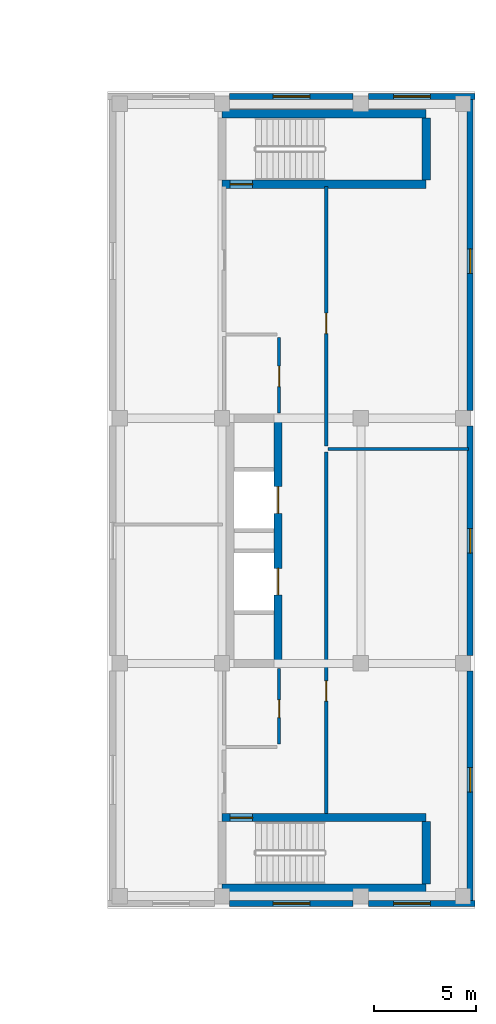
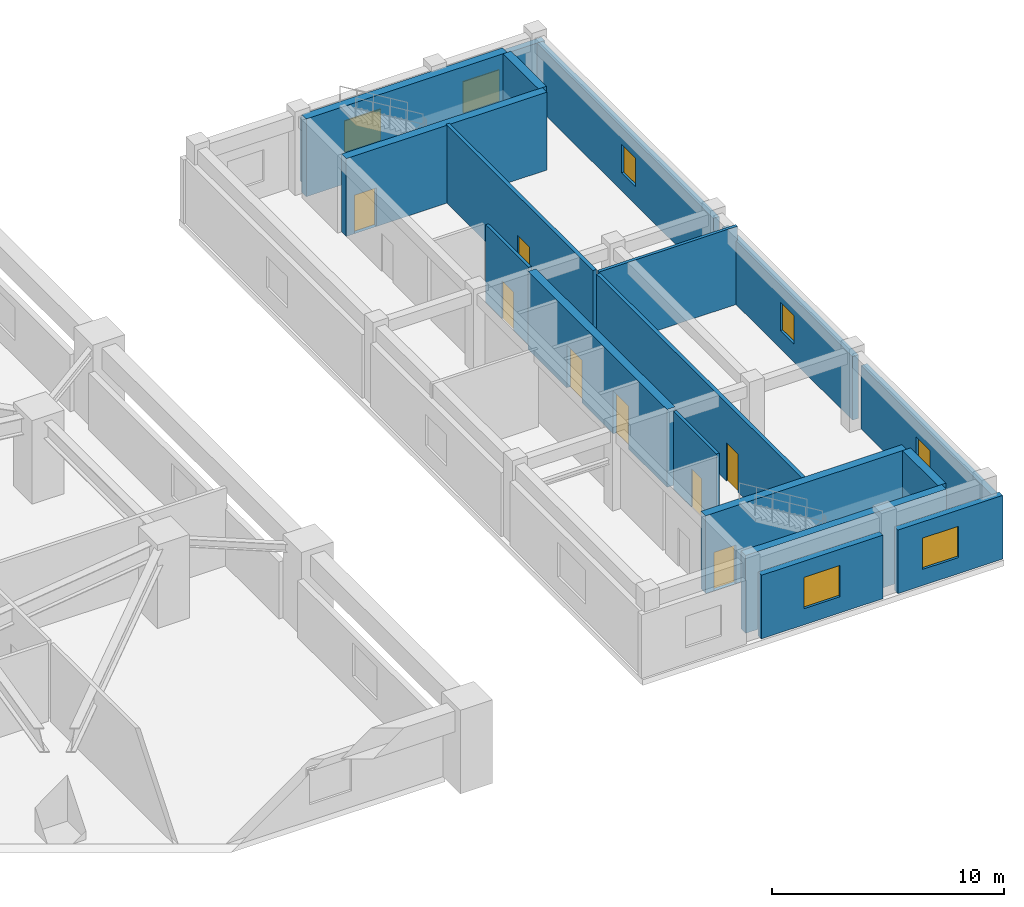
# One storey, part 11 of 16: 19 walls, 8 doors, 7 windows, 15 openings.
"""IFC4 building model written with IfcOpenShell, lengths in metres."""

from ifc_helpers import new_model, si_unit, direction, frame, frame_2d, origin, place, context, subcontext, project, spatial, rectangle, extrude, source, transform, mapped, material, layer, layer_set, type_object, element, fill, save


model = new_model("IFC4")

# Units and contexts
model_context = context("Model", 3, precision=1e-05, world=origin(), true_north=direction((0.0, 1.0)))
body_context = subcontext(model_context, "Body", "Model", "MODEL_VIEW")
ifc_project = project(units=[si_unit("LENGTHUNIT", "METRE"), si_unit("AREAUNIT", "SQUARE_METRE"), si_unit("VOLUMEUNIT", "CUBIC_METRE"), si_unit("PLANEANGLEUNIT", "RADIAN"), si_unit("MASSUNIT", "GRAM", prefix="KILO")], contexts=[model_context])

# Site, building, storey
site_placement = place(None, origin())
site = spatial("IfcSite", under=ifc_project, at=site_placement, CompositionType="ELEMENT")
building_placement = place(site_placement, origin())
building = spatial("IfcBuilding", under=site, at=building_placement, Name="Veraguas Prism Commons", CompositionType="ELEMENT")
storey_placement = place(building_placement, frame((0.0, 0.0, 14.0)))
storey = spatial("IfcBuildingStorey", under=building, at=storey_placement, Name="L03", CompositionType="ELEMENT", Elevation=14.0)

# Wall, openings, doors
ifc_material_1 = material(Name="Concrete C50/60", Category="concrete")
ifc_layer_1 = layer(ifc_material_1, 0.39990234375, Name="Clinic and Mid Core Shear Wall RC 400", Category="concrete")
ifc_layer_set_1 = layer_set([ifc_layer_1], Name="Concrete C50/60")
wall_type_1 = type_object("IfcWallType", Name="Clinic and Mid Core Shear Wall RC 400", PredefinedType="SHEAR", material=ifc_layer_set_1)
wall_1_placement = place(storey_placement, frame((65.35009765625, 16.0, 0.0), z_axis=(0.0, 0.0, 1.0), x_axis=(0.0, 1.0, 0.0)))
wall_1 = element("IfcWall", 1, at=wall_1_placement, inside=storey, type_object=wall_type_1, Name="Health Centre Lift Core Front Shear Wall L03", PredefinedType="SHEAR", context=body_context, shape_type="SweptSolid", body=[
    extrude(rectangle(XDim=12.0, YDim=0.39990234375, at=frame_2d((6.0, 0.0))), origin(), (0.0, 0.0, 1.0), 4.10009765625),
])
opening_1_placement = place(wall_1_placement, frame((3.35009765625, 0.0, 0.0)))
opening_1 = element("IfcOpeningElement", 2, at=opening_1_placement, cuts=wall_1, Name="Opening LD-02", PredefinedType="OPENING", context=body_context, shape_type="SweptSolid", body=[
    extrude(rectangle(XDim=1.300048828125, YDim=2.25, at=frame_2d((0.64990234375, 1.125))), frame((0.0, 0.2099609375, 0.0), z_axis=(0.0, -1.0, 0.0), x_axis=(1.0, 0.0, 0.0)), (0.0, 0.0, 1.0), 0.419921875),
])
opening_2_placement = place(wall_1_placement, frame((7.35009765625, 0.0, 0.0)))
opening_2 = element("IfcOpeningElement", 3, at=opening_2_placement, cuts=wall_1, Name="Opening LD-02", PredefinedType="OPENING", context=body_context, shape_type="SweptSolid", body=[
    extrude(rectangle(XDim=1.300048828125, YDim=2.25, at=frame_2d((0.64990234375, 1.125))), frame((0.0, 0.2099609375, 0.0), z_axis=(0.0, -1.0, 0.0), x_axis=(1.0, 0.0, 0.0)), (0.0, 0.0, 1.0), 0.419921875),
])
ifc_material_2 = material(Name="Stainless steel AISI 316", Category="steel")
door_type_1 = type_object("IfcDoorType", Name="Firefighting Lift Sliding Landing Door 1300x2250", OperationType="NOTDEFINED", PredefinedType="DOOR", material=ifc_material_2)
shared_shape_1 = source(origin(), body_context, "Body", "SweptSolid", [
    extrude(rectangle(XDim=1.300048828125, YDim=2.25, at=frame_2d((0.64990234375, 1.125))), frame((0.0, 0.02490234375, 0.0), z_axis=(0.0, -1.0, 0.0), x_axis=(1.0, 0.0, 0.0)), (0.0, 0.0, 1.0), 0.050048828125),
])
door_1_placement = place(opening_1_placement, origin())
door_1 = element("IfcDoor", 4, at=door_1_placement, inside=storey, type_object=door_type_1, Name="Health Centre Lift CL-1 Door L03", OperationType="SLIDING_TO_LEFT", OverallHeight=2.25, OverallWidth=1.300048828125, PredefinedType="DOOR", context=body_context, shape_type="MappedRepresentation", body=[
    mapped(shared_shape_1, transform((0.0, 0.0, 0.0), scale=1.0)),
])
fill(opening_1, door_1)
door_2_placement = place(opening_2_placement, origin())
door_2 = element("IfcDoor", 5, at=door_2_placement, inside=storey, type_object=door_type_1, Name="Health Centre Lift CL-2 Door L03", OperationType="SLIDING_TO_LEFT", OverallHeight=2.25, OverallWidth=1.300048828125, PredefinedType="DOOR", context=body_context, shape_type="MappedRepresentation", body=[
    mapped(shared_shape_1, transform((0.0, 0.0, 0.0), scale=1.0)),
])
fill(opening_2, door_2)

# Wall
wall_2_placement = place(storey_placement, frame((62.60009765625, 5.0, 0.0), z_axis=(0.0, 0.0, 1.0), x_axis=(1.0, 0.0, 0.0)))
element("IfcWall", 6, at=wall_2_placement, inside=storey, type_object=wall_type_1, Name="ST-H1 South Shear Wall L03", PredefinedType="SHEAR", context=body_context, shape_type="SweptSolid", body=[
    extrude(rectangle(XDim=10.0, YDim=0.39990234375, at=frame_2d((5.0, 0.0))), origin(), (0.0, 0.0, 1.0), 4.10009765625),
])

# Wall, opening, door
wall_3_placement = place(storey_placement, frame((62.60009765625, 8.449951171875, 0.0), z_axis=(0.0, 0.0, 1.0), x_axis=(1.0, 0.0, 0.0)))
wall_3 = element("IfcWall", 7, at=wall_3_placement, inside=storey, type_object=wall_type_1, Name="ST-H1 North Shear Wall L03", PredefinedType="SHEAR", context=body_context, shape_type="SweptSolid", body=[
    extrude(rectangle(XDim=10.0, YDim=0.39990234375, at=frame_2d((5.0, 0.0))), origin(), (0.0, 0.0, 1.0), 4.10009765625),
])
opening_3_placement = place(wall_3_placement, frame((0.39990234375, 0.0, 0.0)))
opening_3 = element("IfcOpeningElement", 8, at=opening_3_placement, cuts=wall_3, Name="Opening DR-05", PredefinedType="OPENING", context=body_context, shape_type="SweptSolid", body=[
    extrude(rectangle(XDim=1.10009765625, YDim=2.030029296875, at=frame_2d((0.550048828125, 1.01513671875))), frame((0.0, 0.2099609375, 0.0), z_axis=(0.0, -1.0, 0.0), x_axis=(1.0, 0.0, 0.0)), (0.0, 0.0, 1.0), 0.419921875),
])
ifc_material_3 = material(Name="Steel fire-rated door assembly", Category="steel")
door_type_2 = type_object("IfcDoorType", Name="Protected Stair and Refuge Fire Door 1100x2030", OperationType="NOTDEFINED", PredefinedType="DOOR", material=ifc_material_3)
shared_shape_2 = source(origin(), body_context, "Body", "SweptSolid", [
    extrude(rectangle(XDim=1.10009765625, YDim=2.030029296875, at=frame_2d((0.550048828125, 1.01513671875))), frame((0.0, 0.02490234375, 0.0), z_axis=(0.0, -1.0, 0.0), x_axis=(1.0, 0.0, 0.0)), (0.0, 0.0, 1.0), 0.050048828125),
])
door_3_placement = place(opening_3_placement, origin())
door_3 = element("IfcDoor", 9, at=door_3_placement, inside=storey, type_object=door_type_2, Name="Health Centre Stair ST-H1 Door L03", OperationType="SINGLE_SWING_LEFT", OverallHeight=2.030029296875, OverallWidth=1.10009765625, PredefinedType="DOOR", context=body_context, shape_type="MappedRepresentation", body=[
    mapped(shared_shape_2, transform((0.0, 0.0, 0.0), scale=1.0)),
])
fill(opening_3, door_3)

# Wall
wall_4_placement = place(storey_placement, frame((72.60009765625, 5.199951171875, 0.0), z_axis=(0.0, 0.0, 1.0), x_axis=(0.0, 1.0, 0.0)))
element("IfcWall", 10, at=wall_4_placement, inside=storey, type_object=wall_type_1, Name="ST-H1 East Shear Wall L03", PredefinedType="SHEAR", context=body_context, shape_type="SweptSolid", body=[
    extrude(rectangle(XDim=3.050048828125, YDim=0.39990234375, at=frame_2d((1.52490234375, 0.0))), origin(), (0.0, 0.0, 1.0), 4.10009765625),
])

# Wall, opening, door
wall_5_placement = place(storey_placement, frame((62.60009765625, 39.4599609375, 0.0), z_axis=(0.0, 0.0, 1.0), x_axis=(1.0, 0.0, 0.0)))
wall_5 = element("IfcWall", 11, at=wall_5_placement, inside=storey, type_object=wall_type_1, Name="ST-H2 South Shear Wall L03", PredefinedType="SHEAR", context=body_context, shape_type="SweptSolid", body=[
    extrude(rectangle(XDim=10.0, YDim=0.39990234375, at=frame_2d((5.0, 0.0))), origin(), (0.0, 0.0, 1.0), 4.10009765625),
])
opening_4_placement = place(wall_5_placement, frame((0.39990234375, 0.0, 0.0)))
opening_4 = element("IfcOpeningElement", 12, at=opening_4_placement, cuts=wall_5, Name="Opening DR-05", PredefinedType="OPENING", context=body_context, shape_type="SweptSolid", body=[
    extrude(rectangle(XDim=1.10009765625, YDim=2.030029296875, at=frame_2d((0.550048828125, 1.01513671875))), frame((0.0, 0.2099609375, 0.0), z_axis=(0.0, -1.0, 0.0), x_axis=(1.0, 0.0, 0.0)), (0.0, 0.0, 1.0), 0.419921875),
])
door_4_placement = place(opening_4_placement, origin())
door_4 = element("IfcDoor", 13, at=door_4_placement, inside=storey, type_object=door_type_2, Name="Health Centre Stair ST-H2 Door L03", OperationType="SINGLE_SWING_RIGHT", OverallHeight=2.030029296875, OverallWidth=1.10009765625, PredefinedType="DOOR", context=body_context, shape_type="MappedRepresentation", body=[
    mapped(shared_shape_2, transform((0.0, 0.0, 0.0), scale=1.0)),
])
fill(opening_4, door_4)

# Walls
wall_6_placement = place(storey_placement, frame((62.60009765625, 42.909912109375, 0.0), z_axis=(0.0, 0.0, 1.0), x_axis=(1.0, 0.0, 0.0)))
element("IfcWall", 14, at=wall_6_placement, inside=storey, type_object=wall_type_1, Name="ST-H2 North Shear Wall L03", PredefinedType="SHEAR", context=body_context, shape_type="SweptSolid", body=[
    extrude(rectangle(XDim=10.0, YDim=0.39990234375, at=frame_2d((5.0, 0.0))), origin(), (0.0, 0.0, 1.0), 4.10009765625),
])
wall_7_placement = place(storey_placement, frame((72.60009765625, 39.659912109375, 0.0), z_axis=(0.0, 0.0, 1.0), x_axis=(0.0, 1.0, 0.0)))
element("IfcWall", 15, at=wall_7_placement, inside=storey, type_object=wall_type_1, Name="ST-H2 East Shear Wall L03", PredefinedType="SHEAR", context=body_context, shape_type="SweptSolid", body=[
    extrude(rectangle(XDim=3.050048828125, YDim=0.39990234375, at=frame_2d((1.52490234375, 0.0))), origin(), (0.0, 0.0, 1.0), 4.10009765625),
])

# Wall, opening, door
ifc_material_4 = material(Name="Autoclaved aerated masonry block 10 MPa", Category="masonry")
ifc_layer_2 = layer(ifc_material_4, 0.179931640625, Name="Corridor and Inter-Tenancy Partition 180", Category="masonry")
ifc_layer_set_2 = layer_set([ifc_layer_2], Name="Autoclaved aerated masonry block 10 MPa")
wall_type_2 = type_object("IfcWallType", Name="Corridor and Inter-Tenancy Partition 180", PredefinedType="PARTITIONING", material=ifc_layer_set_2)
wall_8_placement = place(storey_placement, frame((67.699951171875, 8.64990234375, 0.0), z_axis=(0.0, 0.0, 1.0), x_axis=(0.0, 1.0, 0.0)))
wall_8 = element("IfcWall", 16, at=wall_8_placement, inside=storey, type_object=wall_type_2, Name="WL-L03-HCPT08", PredefinedType="PARTITIONING", context=body_context, shape_type="SweptSolid", body=[
    extrude(rectangle(XDim=17.7001953125, YDim=0.179931640625, at=frame_2d((8.85009765625, 0.0))), origin(), (0.0, 0.0, 1.0), 4.10009765625),
])
opening_5_placement = place(wall_8_placement, frame((5.5, 0.0, 0.0)))
opening_5 = element("IfcOpeningElement", 17, at=opening_5_placement, cuts=wall_8, Name="Opening DR-13", PredefinedType="OPENING", context=body_context, shape_type="SweptSolid", body=[
    extrude(rectangle(XDim=1.0, YDim=2.010009765625, at=frame_2d((0.5, 1.0048828125))), frame((0.0, 0.099853515625, 0.0), z_axis=(0.0, -1.0, 0.0), x_axis=(1.0, 0.0, 0.0)), (0.0, 0.0, 1.0), 0.199951171875),
])
door_type_3 = type_object("IfcDoorType", Name="Core Accessible WC and Clinic Fire Door 1000x2010", OperationType="NOTDEFINED", PredefinedType="DOOR", material=ifc_material_3)
shared_shape_3 = source(origin(), body_context, "Body", "SweptSolid", [
    extrude(rectangle(XDim=1.0, YDim=2.010009765625, at=frame_2d((0.5, 1.0048828125))), frame((0.0, 0.02490234375, 0.0), z_axis=(0.0, -1.0, 0.0), x_axis=(1.0, 0.0, 0.0)), (0.0, 0.0, 1.0), 0.050048828125),
])
door_5_placement = place(opening_5_placement, origin())
door_5 = element("IfcDoor", 18, at=door_5_placement, inside=storey, type_object=door_type_3, Name="Cardiology Diagnostics Room Door", OperationType="SINGLE_SWING_RIGHT", OverallHeight=2.010009765625, OverallWidth=1.0, PredefinedType="DOOR", context=body_context, shape_type="MappedRepresentation", body=[
    mapped(shared_shape_3, transform((0.0, 0.0, 0.0), scale=1.0)),
])
fill(opening_5, door_5)

wall_9_placement = place(storey_placement, frame((67.699951171875, 26.64990234375, 0.0), z_axis=(0.0, 0.0, 1.0), x_axis=(0.0, 1.0, 0.0)))
wall_9 = element("IfcWall", 19, at=wall_9_placement, inside=storey, type_object=wall_type_2, Name="WL-L03-HCPT09", PredefinedType="PARTITIONING", context=body_context, shape_type="SweptSolid", body=[
    extrude(rectangle(XDim=12.7001953125, YDim=0.179931640625, at=frame_2d((6.35009765625, 0.0))), origin(), (0.0, 0.0, 1.0), 4.10009765625),
])
opening_6_placement = place(wall_9_placement, frame((5.5, 0.0, 0.0)))
opening_6 = element("IfcOpeningElement", 20, at=opening_6_placement, cuts=wall_9, Name="Opening DR-13", PredefinedType="OPENING", context=body_context, shape_type="SweptSolid", body=[
    extrude(rectangle(XDim=1.0, YDim=2.010009765625, at=frame_2d((0.5, 1.0048828125))), frame((0.0, 0.099853515625, 0.0), z_axis=(0.0, -1.0, 0.0), x_axis=(1.0, 0.0, 0.0)), (0.0, 0.0, 1.0), 0.199951171875),
])
door_6_placement = place(opening_6_placement, origin())
door_6 = element("IfcDoor", 21, at=door_6_placement, inside=storey, type_object=door_type_3, Name="Mental Health Consulting Suite Door", OperationType="SINGLE_SWING_LEFT", OverallHeight=2.010009765625, OverallWidth=1.0, PredefinedType="DOOR", context=body_context, shape_type="MappedRepresentation", body=[
    mapped(shared_shape_3, transform((0.0, 0.0, 0.0), scale=1.0)),
])
fill(opening_6, door_6)

# Wall, opening, window
ifc_material_5 = material(Name="Precast concrete C40/50", Category="concrete")
ifc_layer_3 = layer(ifc_material_5, 0.300048828125, Name="External Precast Facade Wall 300", Category="concrete")
ifc_layer_set_3 = layer_set([ifc_layer_3], Name="Precast concrete C40/50")
wall_type_3 = type_object("IfcWallType", Name="External Precast Facade Wall 300", PredefinedType="SOLIDWALL", material=ifc_layer_set_3)
wall_10_placement = place(storey_placement, frame((62.97509765625, 4.25, 0.0), z_axis=(0.0, 0.0, 1.0), x_axis=(1.0, 0.0, 0.0)))
wall_10 = element("IfcWall", 22, at=wall_10_placement, inside=storey, type_object=wall_type_3, Name="Health Centre South Wall L03-02", PredefinedType="SOLIDWALL", context=body_context, shape_type="SweptSolid", body=[
    extrude(rectangle(XDim=6.0498046875, YDim=0.300048828125, at=frame_2d((3.02490234375, 0.0))), origin(), (0.0, 0.0, 1.0), 3.35009765625),
])
opening_7_placement = place(wall_10_placement, frame((2.125, 0.0, 0.85009765625)))
opening_7 = element("IfcOpeningElement", 23, at=opening_7_placement, cuts=wall_10, Name="Opening WN-01", PredefinedType="OPENING", context=body_context, shape_type="SweptSolid", body=[
    extrude(rectangle(XDim=1.800048828125, YDim=1.64990234375, at=frame_2d((0.89990234375, 0.824951171875))), frame((0.0, 0.159912109375, 0.0), z_axis=(0.0, -1.0, 0.0), x_axis=(1.0, 0.0, 0.0)), (0.0, 0.0, 1.0), 0.320068359375),
])
ifc_material_6 = material(Name="Laminated low-e glass", Category="glass")
window_type_1 = type_object("IfcWindowType", Name="Clinic Consulting Double Window 1800x1650", PartitioningType="DOUBLE_PANEL_VERTICAL", PredefinedType="WINDOW", material=ifc_material_6)
shared_shape_4 = source(origin(), body_context, "Body", "SweptSolid", [
    extrude(rectangle(XDim=1.800048828125, YDim=1.64990234375, at=frame_2d((0.89990234375, 0.824951171875))), frame((0.0, 0.030029296875, 0.0), z_axis=(0.0, -1.0, 0.0), x_axis=(1.0, 0.0, 0.0)), (0.0, 0.0, 1.0), 0.06005859375),
])
window_1_placement = place(opening_7_placement, origin())
window_1 = element("IfcWindow", 24, at=window_1_placement, inside=storey, type_object=window_type_1, Name="Health Centre South Window L03-02", OverallHeight=1.64990234375, OverallWidth=1.800048828125, PartitioningType="DOUBLE_PANEL_VERTICAL", PredefinedType="WINDOW", context=body_context, shape_type="MappedRepresentation", body=[
    mapped(shared_shape_4, transform((0.0, 0.0, 0.0), scale=1.0)),
])
fill(opening_7, window_1)

wall_11_placement = place(storey_placement, frame((69.77490234375, 4.25, 0.0), z_axis=(0.0, 0.0, 1.0), x_axis=(1.0, 0.0, 0.0)))
wall_11 = element("IfcWall", 25, at=wall_11_placement, inside=storey, type_object=wall_type_3, Name="Health Centre South Wall L03-03", PredefinedType="SOLIDWALL", context=body_context, shape_type="SweptSolid", body=[
    extrude(rectangle(XDim=5.22509765625, YDim=0.300048828125, at=frame_2d((2.612548828125, 0.0))), origin(), (0.0, 0.0, 1.0), 3.35009765625),
])
opening_8_placement = place(wall_11_placement, frame((1.22509765625, 0.0, 0.85009765625)))
opening_8 = element("IfcOpeningElement", 26, at=opening_8_placement, cuts=wall_11, Name="Opening WN-01", PredefinedType="OPENING", context=body_context, shape_type="SweptSolid", body=[
    extrude(rectangle(XDim=1.800048828125, YDim=1.64990234375, at=frame_2d((0.89990234375, 0.824951171875))), frame((0.0, 0.159912109375, 0.0), z_axis=(0.0, -1.0, 0.0), x_axis=(1.0, 0.0, 0.0)), (0.0, 0.0, 1.0), 0.320068359375),
])
window_2_placement = place(opening_8_placement, origin())
window_2 = element("IfcWindow", 27, at=window_2_placement, inside=storey, type_object=window_type_1, Name="Health Centre South Window L03-03", OverallHeight=1.64990234375, OverallWidth=1.800048828125, PartitioningType="DOUBLE_PANEL_VERTICAL", PredefinedType="WINDOW", context=body_context, shape_type="MappedRepresentation", body=[
    mapped(shared_shape_4, transform((0.0, 0.0, 0.0), scale=1.0)),
])
fill(opening_8, window_2)

wall_12_placement = place(storey_placement, frame((75.0, 43.75, 0.0), z_axis=(0.0, 0.0, 1.0), x_axis=(-1.0, 0.0, 0.0)))
wall_12 = element("IfcWall", 28, at=wall_12_placement, inside=storey, type_object=wall_type_3, Name="Health Centre North Wall L03-01", PredefinedType="SOLIDWALL", context=body_context, shape_type="SweptSolid", body=[
    extrude(rectangle(XDim=5.22509765625, YDim=0.300048828125, at=frame_2d((2.612548828125, 0.0))), origin(), (0.0, 0.0, 1.0), 3.35009765625),
])
opening_9_placement = place(wall_12_placement, frame((2.199951171875, 0.0, 0.85009765625)))
opening_9 = element("IfcOpeningElement", 29, at=opening_9_placement, cuts=wall_12, Name="Opening WN-01", PredefinedType="OPENING", context=body_context, shape_type="SweptSolid", body=[
    extrude(rectangle(XDim=1.800048828125, YDim=1.64990234375, at=frame_2d((0.89990234375, 0.824951171875))), frame((0.0, 0.159912109375, 0.0), z_axis=(0.0, -1.0, 0.0), x_axis=(1.0, 0.0, 0.0)), (0.0, 0.0, 1.0), 0.320068359375),
])
window_3_placement = place(opening_9_placement, origin())
window_3 = element("IfcWindow", 30, at=window_3_placement, inside=storey, type_object=window_type_1, Name="Health Centre North Window L03-01", OverallHeight=1.64990234375, OverallWidth=1.800048828125, PartitioningType="DOUBLE_PANEL_VERTICAL", PredefinedType="WINDOW", context=body_context, shape_type="MappedRepresentation", body=[
    mapped(shared_shape_4, transform((0.0, 0.0, 0.0), scale=1.0)),
])
fill(opening_9, window_3)

wall_13_placement = place(storey_placement, frame((69.02490234375, 43.75, 0.0), z_axis=(0.0, 0.0, 1.0), x_axis=(-1.0, 0.0, 0.0)))
wall_13 = element("IfcWall", 31, at=wall_13_placement, inside=storey, type_object=wall_type_3, Name="Health Centre North Wall L03-02", PredefinedType="SOLIDWALL", context=body_context, shape_type="SweptSolid", body=[
    extrude(rectangle(XDim=6.0498046875, YDim=0.300048828125, at=frame_2d((3.02490234375, 0.0))), origin(), (0.0, 0.0, 1.0), 3.35009765625),
])
opening_10_placement = place(wall_13_placement, frame((2.125, 0.0, 0.85009765625)))
opening_10 = element("IfcOpeningElement", 32, at=opening_10_placement, cuts=wall_13, Name="Opening WN-01", PredefinedType="OPENING", context=body_context, shape_type="SweptSolid", body=[
    extrude(rectangle(XDim=1.800048828125, YDim=1.64990234375, at=frame_2d((0.89990234375, 0.824951171875))), frame((0.0, 0.159912109375, 0.0), z_axis=(0.0, -1.0, 0.0), x_axis=(1.0, 0.0, 0.0)), (0.0, 0.0, 1.0), 0.320068359375),
])
window_4_placement = place(opening_10_placement, origin())
window_4 = element("IfcWindow", 33, at=window_4_placement, inside=storey, type_object=window_type_1, Name="Health Centre North Window L03-02", OverallHeight=1.64990234375, OverallWidth=1.800048828125, PartitioningType="DOUBLE_PANEL_VERTICAL", PredefinedType="WINDOW", context=body_context, shape_type="MappedRepresentation", body=[
    mapped(shared_shape_4, transform((0.0, 0.0, 0.0), scale=1.0)),
])
fill(opening_10, window_4)

wall_14_placement = place(storey_placement, frame((74.75, 4.39990234375, 0.0), z_axis=(0.0, 0.0, 1.0), x_axis=(0.0, 1.0, 0.0)))
wall_14 = element("IfcWall", 34, at=wall_14_placement, inside=storey, type_object=wall_type_3, Name="Health Centre East Wall L03-01", PredefinedType="SOLIDWALL", context=body_context, shape_type="SweptSolid", body=[
    extrude(rectangle(XDim=11.22509765625, YDim=0.300048828125, at=frame_2d((5.612548828125, 0.0))), origin(), (0.0, 0.0, 1.0), 3.35009765625),
])
opening_11_placement = place(wall_14_placement, frame((5.300048828125, 0.0, 0.949951171875)))
opening_11 = element("IfcOpeningElement", 35, at=opening_11_placement, cuts=wall_14, Name="Opening WN-03", PredefinedType="OPENING", context=body_context, shape_type="SweptSolid", body=[
    extrude(rectangle(XDim=1.199951171875, YDim=1.5, at=frame_2d((0.60009765625, 0.75))), frame((0.0, 0.159912109375, 0.0), z_axis=(0.0, -1.0, 0.0), x_axis=(1.0, 0.0, 0.0)), (0.0, 0.0, 1.0), 0.320068359375),
])
window_type_2 = type_object("IfcWindowType", Name="Clinic Treatment Window 1200x1500", PartitioningType="SINGLE_PANEL", PredefinedType="WINDOW", material=ifc_material_6)
shared_shape_5 = source(origin(), body_context, "Body", "SweptSolid", [
    extrude(rectangle(XDim=1.199951171875, YDim=1.5, at=frame_2d((0.60009765625, 0.75))), frame((0.0, 0.030029296875, 0.0), z_axis=(0.0, -1.0, 0.0), x_axis=(1.0, 0.0, 0.0)), (0.0, 0.0, 1.0), 0.06005859375),
])
window_5_placement = place(opening_11_placement, origin())
window_5 = element("IfcWindow", 36, at=window_5_placement, inside=storey, type_object=window_type_2, Name="Health Centre East Window L03-01", OverallHeight=1.5, OverallWidth=1.199951171875, PartitioningType="SINGLE_PANEL", PredefinedType="WINDOW", context=body_context, shape_type="MappedRepresentation", body=[
    mapped(shared_shape_5, transform((0.0, 0.0, 0.0), scale=1.0)),
])
fill(opening_11, window_5)

wall_15_placement = place(storey_placement, frame((74.75, 16.375, 0.0), z_axis=(0.0, 0.0, 1.0), x_axis=(0.0, 1.0, 0.0)))
wall_15 = element("IfcWall", 37, at=wall_15_placement, inside=storey, type_object=wall_type_3, Name="Health Centre East Wall L03-02", PredefinedType="SOLIDWALL", context=body_context, shape_type="SweptSolid", body=[
    extrude(rectangle(XDim=11.25, YDim=0.300048828125, at=frame_2d((5.625, 0.0))), origin(), (0.0, 0.0, 1.0), 3.35009765625),
])
opening_12_placement = place(wall_15_placement, frame((5.02490234375, 0.0, 0.949951171875)))
opening_12 = element("IfcOpeningElement", 38, at=opening_12_placement, cuts=wall_15, Name="Opening WN-03", PredefinedType="OPENING", context=body_context, shape_type="SweptSolid", body=[
    extrude(rectangle(XDim=1.199951171875, YDim=1.5, at=frame_2d((0.60009765625, 0.75))), frame((0.0, 0.159912109375, 0.0), z_axis=(0.0, -1.0, 0.0), x_axis=(1.0, 0.0, 0.0)), (0.0, 0.0, 1.0), 0.320068359375),
])
window_6_placement = place(opening_12_placement, origin())
window_6 = element("IfcWindow", 39, at=window_6_placement, inside=storey, type_object=window_type_2, Name="Health Centre East Window L03-02", OverallHeight=1.5, OverallWidth=1.199951171875, PartitioningType="SINGLE_PANEL", PredefinedType="WINDOW", context=body_context, shape_type="MappedRepresentation", body=[
    mapped(shared_shape_5, transform((0.0, 0.0, 0.0), scale=1.0)),
])
fill(opening_12, window_6)

wall_16_placement = place(storey_placement, frame((74.75, 28.375, 0.0), z_axis=(0.0, 0.0, 1.0), x_axis=(0.0, 1.0, 0.0)))
wall_16 = element("IfcWall", 40, at=wall_16_placement, inside=storey, type_object=wall_type_3, Name="Health Centre East Wall L03-03", PredefinedType="SOLIDWALL", context=body_context, shape_type="SweptSolid", body=[
    extrude(rectangle(XDim=15.22509765625, YDim=0.300048828125, at=frame_2d((7.612548828125, 0.0))), origin(), (0.0, 0.0, 1.0), 3.35009765625),
])
opening_13_placement = place(wall_16_placement, frame((6.72509765625, 0.0, 0.949951171875)))
opening_13 = element("IfcOpeningElement", 41, at=opening_13_placement, cuts=wall_16, Name="Opening WN-03", PredefinedType="OPENING", context=body_context, shape_type="SweptSolid", body=[
    extrude(rectangle(XDim=1.199951171875, YDim=1.5, at=frame_2d((0.60009765625, 0.75))), frame((0.0, 0.159912109375, 0.0), z_axis=(0.0, -1.0, 0.0), x_axis=(1.0, 0.0, 0.0)), (0.0, 0.0, 1.0), 0.320068359375),
])
window_7_placement = place(opening_13_placement, origin())
window_7 = element("IfcWindow", 42, at=window_7_placement, inside=storey, type_object=window_type_2, Name="Health Centre East Window L03-03", OverallHeight=1.5, OverallWidth=1.199951171875, PartitioningType="SINGLE_PANEL", PredefinedType="WINDOW", context=body_context, shape_type="MappedRepresentation", body=[
    mapped(shared_shape_5, transform((0.0, 0.0, 0.0), scale=1.0)),
])
fill(opening_13, window_7)

# Wall, opening, door
ifc_material_7 = material(Name="Lightweight acoustic gypsum board")
ifc_layer_4 = layer(ifc_material_7, 0.14990234375, Name="Wet Room and Clinic Acoustic Partition 150")
ifc_layer_set_4 = layer_set([ifc_layer_4], Name="Lightweight acoustic gypsum board")
wall_type_4 = type_object("IfcWallType", Name="Wet Room and Clinic Acoustic Partition 150", PredefinedType="PARTITIONING", material=ifc_layer_set_4)
wall_17_placement = place(storey_placement, frame((65.39990234375, 12.050048828125, 0.0), z_axis=(0.0, 0.0, 1.0), x_axis=(0.0, 1.0, 0.0)))
wall_17 = element("IfcWall", 43, at=wall_17_placement, inside=storey, type_object=wall_type_4, Name="WL-L03-HCPT02", PredefinedType="PARTITIONING", context=body_context, shape_type="SweptSolid", body=[
    extrude(rectangle(XDim=3.699951171875, YDim=0.14990234375, at=frame_2d((1.85009765625, 0.0))), origin(), (0.0, 0.0, 1.0), 4.10009765625),
])
opening_14_placement = place(wall_17_placement, frame((1.300048828125, 0.0, 0.0)))
opening_14 = element("IfcOpeningElement", 44, at=opening_14_placement, cuts=wall_17, Name="Opening DR-12", PredefinedType="OPENING", context=body_context, shape_type="SweptSolid", body=[
    extrude(rectangle(XDim=0.860107421875, YDim=2.010009765625, at=frame_2d((0.43017578125, 1.0048828125))), frame((0.0, 0.0849609375, 0.0), z_axis=(0.0, -1.0, 0.0), x_axis=(1.0, 0.0, 0.0)), (0.0, 0.0, 1.0), 0.169921875),
])
door_type_4 = type_object("IfcDoorType", Name="Core WC Fire Door 860x2010", OperationType="NOTDEFINED", PredefinedType="DOOR", material=ifc_material_3)
shared_shape_6 = source(origin(), body_context, "Body", "SweptSolid", [
    extrude(rectangle(XDim=0.860107421875, YDim=2.010009765625, at=frame_2d((0.43017578125, 1.0048828125))), frame((0.0, 0.02490234375, 0.0), z_axis=(0.0, -1.0, 0.0), x_axis=(1.0, 0.0, 0.0)), (0.0, 0.0, 1.0), 0.050048828125),
])
door_7_placement = place(opening_14_placement, origin())
door_7 = element("IfcDoor", 45, at=door_7_placement, inside=storey, type_object=door_type_4, Name="Clinic WC Door L03", OperationType="SINGLE_SWING_RIGHT", OverallHeight=2.010009765625, OverallWidth=0.860107421875, PredefinedType="DOOR", context=body_context, shape_type="MappedRepresentation", body=[
    mapped(shared_shape_6, transform((0.0, 0.0, 0.0), scale=1.0)),
])
fill(opening_14, door_7)

wall_18_placement = place(storey_placement, frame((65.39990234375, 28.25, 0.0), z_axis=(0.0, 0.0, 1.0), x_axis=(0.0, 1.0, 0.0)))
wall_18 = element("IfcWall", 46, at=wall_18_placement, inside=storey, type_object=wall_type_4, Name="WL-L03-HCPT04", PredefinedType="PARTITIONING", context=body_context, shape_type="SweptSolid", body=[
    extrude(rectangle(XDim=3.699951171875, YDim=0.14990234375, at=frame_2d((1.85009765625, 0.0))), origin(), (0.0, 0.0, 1.0), 4.10009765625),
])
opening_15_placement = place(wall_18_placement, frame((1.300048828125, 0.0, 0.0)))
opening_15 = element("IfcOpeningElement", 47, at=opening_15_placement, cuts=wall_18, Name="Opening DR-13", PredefinedType="OPENING", context=body_context, shape_type="SweptSolid", body=[
    extrude(rectangle(XDim=1.0, YDim=2.010009765625, at=frame_2d((0.5, 1.0048828125))), frame((0.0, 0.0849609375, 0.0), z_axis=(0.0, -1.0, 0.0), x_axis=(1.0, 0.0, 0.0)), (0.0, 0.0, 1.0), 0.169921875),
])
door_8_placement = place(opening_15_placement, origin())
door_8 = element("IfcDoor", 48, at=door_8_placement, inside=storey, type_object=door_type_3, Name="Clinic Accessible WC Door L03", OperationType="SINGLE_SWING_LEFT", OverallHeight=2.010009765625, OverallWidth=1.0, PredefinedType="DOOR", context=body_context, shape_type="MappedRepresentation", body=[
    mapped(shared_shape_3, transform((0.0, 0.0, 0.0), scale=1.0)),
])
fill(opening_15, door_8)

# Wall
wall_19_placement = place(storey_placement, frame((67.780029296875, 26.5, 0.0), z_axis=(0.0, 0.0, 1.0), x_axis=(1.0, 0.0, 0.0)))
element("IfcWall", 49, at=wall_19_placement, inside=storey, type_object=wall_type_4, Name="WL-L03-HCPT10", PredefinedType="PARTITIONING", context=body_context, shape_type="SweptSolid", body=[
    extrude(rectangle(XDim=6.89990234375, YDim=0.14990234375, at=frame_2d((3.449951171875, 0.0))), origin(), (0.0, 0.0, 1.0), 4.10009765625),
])

save(model, "model.ifc")
